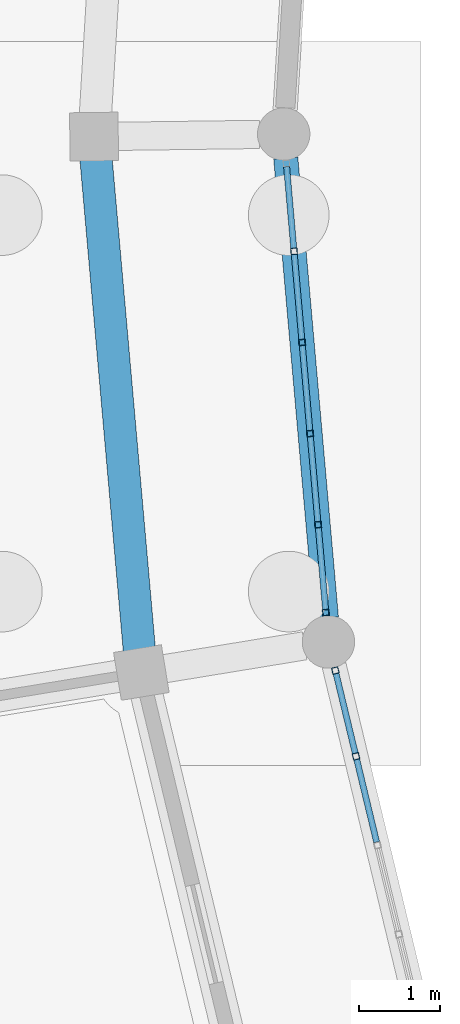
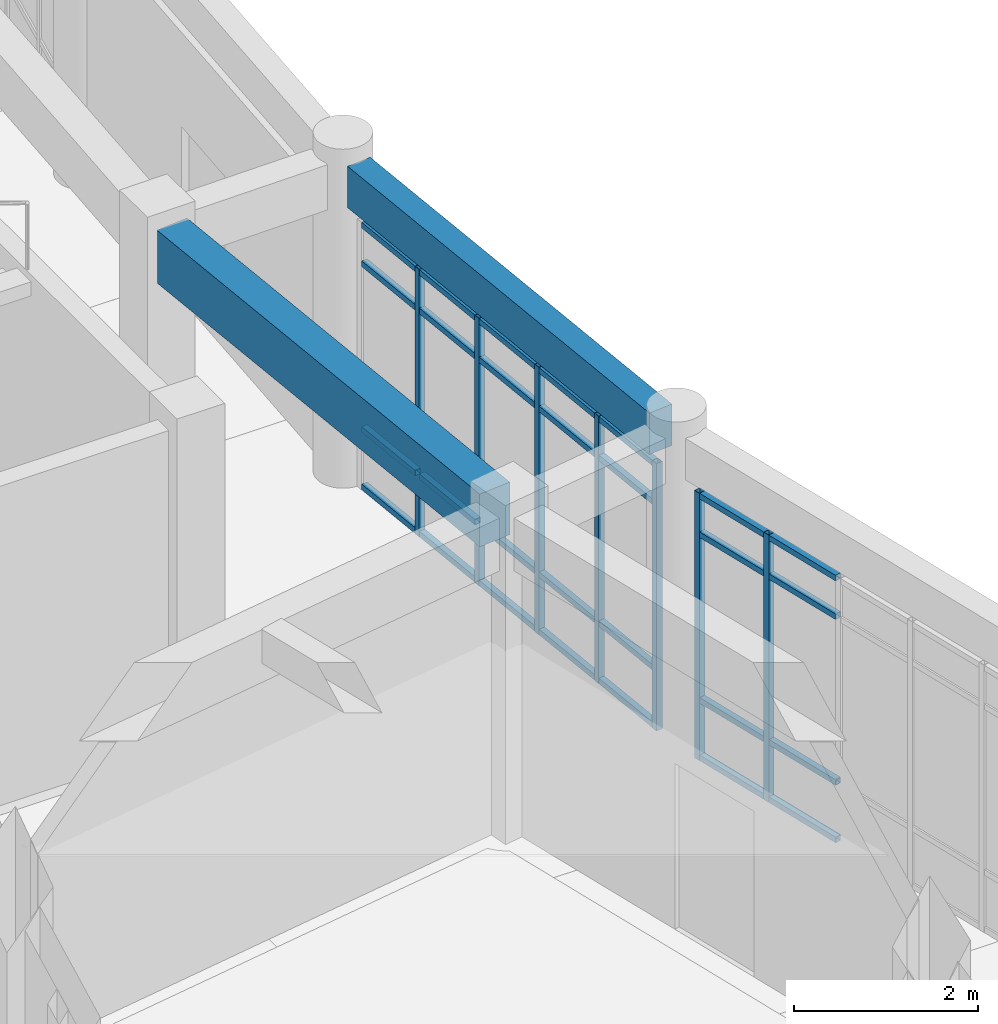
# One storey, part 34 of 153: 35 members, 2 beams, 2 elements without a shape of their own.
"""IFC4 building model written with IfcOpenShell, lengths in metres."""

import ifcopenshell
import ifcopenshell.guid

model = None  # the IFC model being written
_history = None  # IfcOwnerHistory: only IFC2X3 demands one
_inside = {}  # id of a spatial element -> (the spatial element, [elements in it])
_under = {}  # id of a project, library or spatial element -> (it, [spatial elements below it])
_declared = {}  # id of a project -> (the project, [libraries it declares])
_typed = {}  # id of a type object -> (the type object, [elements of that type])
_made_of = {}  # id of a material, layer set ... -> (it, [elements and type objects made of it])


def new_model(schema):
    """Start an empty IFC model of exactly this schema.

    Asked for "IFC4X3", IfcOpenShell would pick the latest addendum, in which some entities
    have other attributes; the version numbers below select the first issue.
    IFC2X3 requires an IfcOwnerHistory on every rooted entity: one is made here for all.
    """
    global model, _history
    if schema == "IFC4X3":
        model = ifcopenshell.file(schema_version=(4, 3, 0, 0))
    else:
        model = ifcopenshell.file(schema=schema)
    _inside.clear()
    _under.clear()
    _declared.clear()
    _typed.clear()
    _made_of.clear()
    _history = None
    if model.schema == "IFC2X3":
        org = make("IfcOrganization", Name="unknown")
        user = make(
            "IfcPersonAndOrganization",
            ThePerson=make("IfcPerson", FamilyName="unknown"),
            TheOrganization=org,
        )
        app = make(
            "IfcApplication",
            ApplicationDeveloper=org,
            Version="unknown",
            ApplicationFullName="unknown",
            ApplicationIdentifier="unknown",
        )
        _history = make(
            "IfcOwnerHistory",
            OwningUser=user,
            OwningApplication=app,
            ChangeAction="ADDED",
            CreationDate=0,
        )
    return model


def make(cls, **values):
    """One entity of the class cls with the attributes given. An attribute that is None is left unset."""
    return model.create_entity(
        cls, **{name: value for name, value in values.items() if value is not None}
    )


def rooted(cls, **values):
    """An entity with a GlobalId (a new one), such as an element, a storey or a relation."""
    return make(cls, GlobalId=ifcopenshell.guid.new(), OwnerHistory=_history, **values)


def si_unit(unit_type, name, prefix=None):
    """IfcSIUnit, for example si_unit("LENGTHUNIT", "METRE", prefix="MILLI")."""
    return make("IfcSIUnit", UnitType=unit_type, Prefix=prefix, Name=name)


def assignment(units):
    """IfcUnitAssignment: the units of a project."""
    return None if units is None else make("IfcUnitAssignment", Units=units)


def point(xyz):
    """IfcCartesianPoint."""
    return None if xyz is None else make("IfcCartesianPoint", Coordinates=xyz)


def direction(xyz):
    """IfcDirection."""
    return None if xyz is None else make("IfcDirection", DirectionRatios=xyz)


def frame(location, z_axis=None, x_axis=None):
    """IfcAxis2Placement3D, a coordinate frame: its origin and axes. An axis left out is left unset."""
    return make(
        "IfcAxis2Placement3D",
        Location=point(location),
        Axis=direction(z_axis),
        RefDirection=direction(x_axis),
    )


def frame_2d(location, x_axis=None):
    """IfcAxis2Placement2D, a coordinate frame in the plane: its origin and x axis."""
    return make(
        "IfcAxis2Placement2D", Location=point(location), RefDirection=direction(x_axis)
    )


def origin():
    """The frame at (0, 0, 0) with its axes left unset."""
    return frame((0.0, 0.0, 0.0))


def origin_2d():
    """The frame at (0, 0) in the plane with its x axis left unset."""
    return frame_2d((0.0, 0.0))


def place(relative_to, where):
    """IfcLocalPlacement: puts the frame where relative to a parent placement (None: the world)."""
    return make(
        "IfcLocalPlacement", PlacementRelTo=relative_to, RelativePlacement=where
    )


def context(
    kind, dimensions, precision=None, world=None, true_north=None, identifier=None
):
    """IfcGeometricRepresentationContext, for example the 3D "Model" context."""
    return make(
        "IfcGeometricRepresentationContext",
        ContextIdentifier=identifier,
        ContextType=kind,
        CoordinateSpaceDimension=dimensions,
        Precision=precision,
        WorldCoordinateSystem=world,
        TrueNorth=true_north,
    )


def subcontext(parent, identifier, kind, view, scale=None):
    """IfcGeometricRepresentationSubContext, for example "Body" below "Model"."""
    return make(
        "IfcGeometricRepresentationSubContext",
        ContextIdentifier=identifier,
        ContextType=kind,
        ParentContext=parent,
        TargetScale=scale,
        TargetView=view,
    )


def project(units=None, contexts=None):
    """IfcProject with its units and contexts."""
    return rooted(
        "IfcProject",
        Name="project",
        RepresentationContexts=contexts,
        UnitsInContext=assignment(units),
    )


def spatial(cls, under=None, at=None, **own):
    """A site, building, storey or space (cls), placed at a placement, below another one or the project."""
    s = rooted(cls, ObjectPlacement=at, **own)
    if under is not None:
        _under.setdefault(under.id(), (under, []))[1].append(s)
    return s


def profile(cls, at=None, kind="AREA", **sizes):
    """A parametric profile (cls). Its sizes go by their IFC names, for example OverallWidth=200.0."""
    return make(cls, ProfileType=kind, Position=at, **sizes)


def rectangle(**sizes):
    """IfcRectangleProfileDef."""
    return profile("IfcRectangleProfileDef", **sizes)


def hollow_rectangle(**sizes):
    """IfcRectangleHollowProfileDef."""
    return profile("IfcRectangleHollowProfileDef", **sizes)


def extrude(swept, where, along, depth):
    """IfcExtrudedAreaSolid: the profile swept, set in the frame where, extruded along a direction by depth."""
    return make(
        "IfcExtrudedAreaSolid",
        SweptArea=swept,
        Position=where,
        ExtrudedDirection=direction(along),
        Depth=depth,
    )


def shape(context_of_items, identifier, shape_type, items):
    """IfcShapeRepresentation: the items that make up one representation, for example the "Body"."""
    return make(
        "IfcShapeRepresentation",
        ContextOfItems=context_of_items,
        RepresentationIdentifier=identifier,
        RepresentationType=shape_type,
        Items=items,
    )


def material(Name=None, Category=None):
    """IfcMaterial."""
    return make("IfcMaterial", Name=Name, Category=Category)


def material_profile(
    of_material, cross_section, Name=None, Category=None, Priority=None
):
    """IfcMaterialProfile: a cross section and its material."""
    return make(
        "IfcMaterialProfile",
        Name=Name,
        Material=of_material,
        Profile=cross_section,
        Priority=Priority,
        Category=Category,
    )


def profile_set(profiles, Name=None, composite=None):
    """IfcMaterialProfileSet."""
    return make(
        "IfcMaterialProfileSet",
        Name=Name,
        MaterialProfiles=profiles,
        CompositeProfile=composite,
    )


def made_of(thing, what):
    """Note that an element or type object is made of a material, layer set ...; save() writes the relation."""
    if what is not None:
        _made_of.setdefault(what.id(), (what, []))[1].append(thing)
    return thing


def type_object(cls, material=None, **own):
    """A type object (cls), such as IfcWallType, which elements share."""
    return made_of(rooted(cls, **own), material)


def element(
    cls,
    number,
    at=None,
    inside=None,
    cuts=None,
    type_object=None,
    material=None,
    context=None,
    identifier="Body",
    shape_type=None,
    held_by="IfcProductDefinitionShape",
    body=None,
    shapes=None,
    **own,
):
    """One element of the class cls, such as IfcWall. Its Tag is "e" and its number.

    at: its placement. inside: the storey or other place that contains it. cuts: it is an
    opening in that element (IfcRelVoidsElement). A single representation is given by context,
    identifier, shape_type and body (its items); several are given by shapes. held_by: the class
    of the entity that holds the representations. save() writes the other relations.
    """
    e = rooted(cls, Tag="e%d" % number, ObjectPlacement=at, **own)
    if body is not None:
        shapes = [shape(context, identifier, shape_type, body)]
    if shapes is not None:
        e.Representation = make(held_by, Representations=shapes)
    if inside is not None:
        _inside.setdefault(inside.id(), (inside, []))[1].append(e)
    if cuts is not None:
        rooted(
            "IfcRelVoidsElement", RelatingBuildingElement=cuts, RelatedOpeningElement=e
        )
    if type_object is not None:
        _typed.setdefault(type_object.id(), (type_object, []))[1].append(e)
    return made_of(e, material)


def aggregate(whole, parts):
    """IfcRelAggregates: a whole, such as a stair, and the parts it consists of."""
    return rooted("IfcRelAggregates", RelatingObject=whole, RelatedObjects=parts)


def save(model, path):
    """Write the relations noted so far, then the file.

    IfcRelAggregates (storeys below a building ...), IfcRelContainedInSpatialStructure (elements
    in a storey), IfcRelDefinesByType, IfcRelAssociatesMaterial and IfcRelDeclares: one each for
    every whole, place, type object, material and project.
    """
    for whole, parts in _under.values():
        aggregate(whole, parts)
    for where, things in _inside.values():
        rooted(
            "IfcRelContainedInSpatialStructure",
            RelatedElements=things,
            RelatingStructure=where,
        )
    for kind, things in _typed.values():
        rooted("IfcRelDefinesByType", RelatedObjects=things, RelatingType=kind)
    for what, things in _made_of.values():
        rooted("IfcRelAssociatesMaterial", RelatedObjects=things, RelatingMaterial=what)
    for by, libraries in _declared.values():
        rooted("IfcRelDeclares", RelatingContext=by, RelatedDefinitions=libraries)
    model.write(path)


model = new_model("IFC4")

# Units and contexts
model_context = context("Model", 3, precision=1e-05, world=origin(), true_north=direction((0.0, 1.0)))
body_context = subcontext(model_context, "Body", "Model", "MODEL_VIEW")
ifc_project = project(units=[si_unit("LENGTHUNIT", "METRE"), si_unit("AREAUNIT", "SQUARE_METRE"), si_unit("VOLUMEUNIT", "CUBIC_METRE"), si_unit("PLANEANGLEUNIT", "RADIAN"), si_unit("MASSUNIT", "GRAM", prefix="KILO")], contexts=[model_context])

# Site, building, storey
site_placement = place(None, origin())
site = spatial("IfcSite", under=ifc_project, at=site_placement, CompositionType="ELEMENT")
building_placement = place(site_placement, origin())
building = spatial("IfcBuilding", under=site, at=building_placement, Name="Celadon Cloister-Ring School", CompositionType="ELEMENT")
storey_placement = place(building_placement, origin())
storey = spatial("IfcBuildingStorey", under=building, at=storey_placement, Name="L00", CompositionType="ELEMENT", Elevation=0.0)

# Curtain wall, members
ifc_material_1 = material(Name="Aluminium EN AW-6063 T6", Category="aluminium")
curtain_wall_type = type_object("IfcCurtainWallType", Name="CW-01", PredefinedType="USERDEFINED", material=ifc_material_1)
curtain_wall_1_placement = place(storey_placement, origin())
curtain_wall_1 = element("IfcCurtainWall", 1, at=curtain_wall_1_placement, inside=storey, type_object=curtain_wall_type, Name="Curtain Wall 0004", ObjectType="CURTAIN WALL", PredefinedType="USERDEFINED")
ifc_material_2 = material(Name="Aluminium EN AW-6063 T6", Category="aluminium")
ifc_material_profile_1 = material_profile(ifc_material_2, hollow_rectangle(XDim=0.080078125, YDim=0.080078125, WallThickness=0.00390625, at=origin_2d()), Name="RHS80X80X4")
ifc_profile_set_1 = profile_set([ifc_material_profile_1], Name="Aluminium EN AW-6063 T6")
member_type_1 = type_object("IfcMemberType", Name="CM-03", PredefinedType="MULLION", material=ifc_profile_set_1)
member_1_placement = place(storey_placement, frame((44.482421875, 56.956787109375, 0.0), z_axis=(0.0, 0.0, 1.0), x_axis=(0.996148002222, 0.087687842199, 0.0)))
member_1 = element("IfcMember", 2, at=member_1_placement, type_object=member_type_1, Name="CW-01 mullion 2", PredefinedType="MULLION", context=body_context, shape_type="SweptSolid", body=[
    extrude(hollow_rectangle(XDim=0.080078125, YDim=0.080078125, WallThickness=0.00390625, at=origin_2d()), origin(), (0.0, 0.0, 1.0), 3.550048828125),
])
member_2_placement = place(storey_placement, frame((44.581787109375, 55.82763671875, 0.0), z_axis=(0.0, 0.0, 1.0), x_axis=(0.996148002222, 0.087687842199, 0.0)))
member_2 = element("IfcMember", 3, at=member_2_placement, type_object=member_type_1, Name="CW-01 mullion 3", PredefinedType="MULLION", context=body_context, shape_type="SweptSolid", body=[
    extrude(hollow_rectangle(XDim=0.080078125, YDim=0.080078125, WallThickness=0.00390625, at=origin_2d()), origin(), (0.0, 0.0, 1.0), 3.550048828125),
])
member_3_placement = place(storey_placement, frame((44.68115234375, 54.698486328125, 0.0), z_axis=(0.0, 0.0, 1.0), x_axis=(0.996148002222, 0.087687842199, 0.0)))
member_3 = element("IfcMember", 4, at=member_3_placement, type_object=member_type_1, Name="CW-01 mullion 4", PredefinedType="MULLION", context=body_context, shape_type="SweptSolid", body=[
    extrude(hollow_rectangle(XDim=0.080078125, YDim=0.080078125, WallThickness=0.00390625, at=origin_2d()), origin(), (0.0, 0.0, 1.0), 3.550048828125),
])
member_4_placement = place(storey_placement, frame((44.780517578125, 53.569091796875, 0.0), z_axis=(0.0, 0.0, 1.0), x_axis=(0.996148002222, 0.087687842199, 0.0)))
member_4 = element("IfcMember", 5, at=member_4_placement, type_object=member_type_1, Name="CW-01 mullion 5", PredefinedType="MULLION", context=body_context, shape_type="SweptSolid", body=[
    extrude(hollow_rectangle(XDim=0.080078125, YDim=0.080078125, WallThickness=0.00390625, at=origin_2d()), origin(), (0.0, 0.0, 1.0), 3.550048828125),
])
member_5_placement = place(storey_placement, frame((44.87646484375, 52.479736328125, 0.0), z_axis=(0.0, 0.0, 1.0), x_axis=(0.996148002222, 0.087687842199, 0.0)))
member_5 = element("IfcMember", 6, at=member_5_placement, type_object=member_type_1, Name="CW-01 mullion 6", PredefinedType="MULLION", context=body_context, shape_type="SweptSolid", body=[
    extrude(hollow_rectangle(XDim=0.080078125, YDim=0.080078125, WallThickness=0.00390625, at=origin_2d()), origin(), (0.0, 0.0, 1.0), 3.550048828125),
])

curtain_wall_2_placement = place(storey_placement, origin())
curtain_wall_2 = element("IfcCurtainWall", 7, at=curtain_wall_2_placement, inside=storey, type_object=curtain_wall_type, Name="Curtain Wall 0005", ObjectType="CURTAIN WALL", PredefinedType="USERDEFINED")
member_6_placement = place(storey_placement, frame((44.994384765625, 51.76123046875, 0.0), z_axis=(0.0, 0.0, 1.0), x_axis=(0.972212485146, 0.234100157469, 0.0)))
member_6 = element("IfcMember", 8, at=member_6_placement, type_object=member_type_1, Name="CW-01 mullion 1", PredefinedType="MULLION", context=body_context, shape_type="SweptSolid", body=[
    extrude(hollow_rectangle(XDim=0.080078125, YDim=0.080078125, WallThickness=0.00390625, at=origin_2d()), origin(), (0.0, 0.0, 1.0), 3.550048828125),
])
member_7_placement = place(storey_placement, frame((45.25048828125, 50.69775390625, 0.0), z_axis=(0.0, 0.0, 1.0), x_axis=(0.972212485146, 0.234100157469, 0.0)))
member_7 = element("IfcMember", 9, at=member_7_placement, type_object=member_type_1, Name="CW-01 mullion 2", PredefinedType="MULLION", context=body_context, shape_type="SweptSolid", body=[
    extrude(hollow_rectangle(XDim=0.080078125, YDim=0.080078125, WallThickness=0.00390625, at=origin_2d()), origin(), (0.0, 0.0, 1.0), 3.550048828125),
])

# Member
ifc_material_3 = material(Name="Aluminium EN AW-6063 T6", Category="aluminium")
ifc_material_profile_2 = material_profile(ifc_material_3, hollow_rectangle(XDim=0.074951171875, YDim=0.074951171875, WallThickness=0.00390625, at=origin_2d()), Name="RHS75X75X4")
ifc_profile_set_2 = profile_set([ifc_material_profile_2], Name="Aluminium EN AW-6063 T6")
member_type_2 = type_object("IfcMemberType", Name="CTM-03", PredefinedType="USERDEFINED", material=ifc_profile_set_2)
member_8_placement = place(storey_placement, frame((44.39013671875, 58.00634765625, 0.03759765625), z_axis=(0.087668878236, -0.996149671379, 0.0), x_axis=(0.996149671379, 0.087668878236, 0.0)))
member_8 = element("IfcMember", 10, at=member_8_placement, type_object=member_type_2, Name="CW-01 transom 1.1", ObjectType="TRANSOM", PredefinedType="USERDEFINED", context=body_context, shape_type="SweptSolid", body=[
    extrude(hollow_rectangle(XDim=0.074951171875, YDim=0.074951171875, WallThickness=0.00390625, at=origin_2d()), origin(), (0.0, 0.0, 1.0), 1.013671875),
])

member_9_placement = place(storey_placement, frame((44.39013671875, 58.00634765625, 0.800048828125), z_axis=(0.087668878236, -0.996149671379, 0.0), x_axis=(0.996149671379, 0.087668878236, 0.0)))
member_9 = element("IfcMember", 11, at=member_9_placement, type_object=member_type_2, Name="CW-01 transom 1.2", ObjectType="TRANSOM", PredefinedType="USERDEFINED", context=body_context, shape_type="SweptSolid", body=[
    extrude(hollow_rectangle(XDim=0.074951171875, YDim=0.074951171875, WallThickness=0.00390625, at=origin_2d()), origin(), (0.0, 0.0, 1.0), 1.013671875),
])

member_10_placement = place(storey_placement, frame((44.39013671875, 58.00634765625, 3.0), z_axis=(0.087668878236, -0.996149671379, 0.0), x_axis=(0.996149671379, 0.087668878236, 0.0)))
member_10 = element("IfcMember", 12, at=member_10_placement, type_object=member_type_2, Name="CW-01 transom 1.3", ObjectType="TRANSOM", PredefinedType="USERDEFINED", context=body_context, shape_type="SweptSolid", body=[
    extrude(hollow_rectangle(XDim=0.074951171875, YDim=0.074951171875, WallThickness=0.00390625, at=origin_2d()), origin(), (0.0, 0.0, 1.0), 1.013671875),
])

member_11_placement = place(storey_placement, frame((44.39013671875, 58.00634765625, 3.512451171875), z_axis=(0.087668878236, -0.996149671379, 0.0), x_axis=(0.996149671379, 0.087668878236, 0.0)))
member_11 = element("IfcMember", 13, at=member_11_placement, type_object=member_type_2, Name="CW-01 transom 1.4", ObjectType="TRANSOM", PredefinedType="USERDEFINED", context=body_context, shape_type="SweptSolid", body=[
    extrude(hollow_rectangle(XDim=0.074951171875, YDim=0.074951171875, WallThickness=0.00390625, at=origin_2d()), origin(), (0.0, 0.0, 1.0), 1.013671875),
])

member_12_placement = place(storey_placement, frame((44.48583984375, 56.9169921875, 0.03759765625), z_axis=(0.087819423051, -0.996136410807, 0.0), x_axis=(0.996136410807, 0.087819423051, 0.0)))
member_12 = element("IfcMember", 14, at=member_12_placement, type_object=member_type_2, Name="CW-01 transom 2.1", ObjectType="TRANSOM", PredefinedType="USERDEFINED", context=body_context, shape_type="SweptSolid", body=[
    extrude(hollow_rectangle(XDim=0.074951171875, YDim=0.074951171875, WallThickness=0.00390625, at=origin_2d()), origin(), (0.0, 0.0, 1.0), 1.0537109375),
])

member_13_placement = place(storey_placement, frame((44.48583984375, 56.9169921875, 0.800048828125), z_axis=(0.087819423051, -0.996136410807, 0.0), x_axis=(0.996136410807, 0.087819423051, 0.0)))
member_13 = element("IfcMember", 15, at=member_13_placement, type_object=member_type_2, Name="CW-01 transom 2.2", ObjectType="TRANSOM", PredefinedType="USERDEFINED", context=body_context, shape_type="SweptSolid", body=[
    extrude(hollow_rectangle(XDim=0.074951171875, YDim=0.074951171875, WallThickness=0.00390625, at=origin_2d()), origin(), (0.0, 0.0, 1.0), 1.0537109375),
])

member_14_placement = place(storey_placement, frame((44.48583984375, 56.9169921875, 3.0), z_axis=(0.087819423051, -0.996136410807, 0.0), x_axis=(0.996136410807, 0.087819423051, 0.0)))
member_14 = element("IfcMember", 16, at=member_14_placement, type_object=member_type_2, Name="CW-01 transom 2.3", ObjectType="TRANSOM", PredefinedType="USERDEFINED", context=body_context, shape_type="SweptSolid", body=[
    extrude(hollow_rectangle(XDim=0.074951171875, YDim=0.074951171875, WallThickness=0.00390625, at=origin_2d()), origin(), (0.0, 0.0, 1.0), 1.0537109375),
])

member_15_placement = place(storey_placement, frame((44.48583984375, 56.9169921875, 3.512451171875), z_axis=(0.087819423051, -0.996136410807, 0.0), x_axis=(0.996136410807, 0.087819423051, 0.0)))
member_15 = element("IfcMember", 17, at=member_15_placement, type_object=member_type_2, Name="CW-01 transom 2.4", ObjectType="TRANSOM", PredefinedType="USERDEFINED", context=body_context, shape_type="SweptSolid", body=[
    extrude(hollow_rectangle(XDim=0.074951171875, YDim=0.074951171875, WallThickness=0.00390625, at=origin_2d()), origin(), (0.0, 0.0, 1.0), 1.0537109375),
])

member_16_placement = place(storey_placement, frame((44.585205078125, 55.787841796875, 0.03759765625), z_axis=(0.087819423051, -0.996136410807, 0.0), x_axis=(0.996136410807, 0.087819423051, 0.0)))
member_16 = element("IfcMember", 18, at=member_16_placement, type_object=member_type_2, Name="CW-01 transom 3.1", ObjectType="TRANSOM", PredefinedType="USERDEFINED", context=body_context, shape_type="SweptSolid", body=[
    extrude(hollow_rectangle(XDim=0.074951171875, YDim=0.074951171875, WallThickness=0.00390625, at=origin_2d()), origin(), (0.0, 0.0, 1.0), 1.0537109375),
])

member_17_placement = place(storey_placement, frame((44.585205078125, 55.787841796875, 0.800048828125), z_axis=(0.087819423051, -0.996136410807, 0.0), x_axis=(0.996136410807, 0.087819423051, 0.0)))
member_17 = element("IfcMember", 19, at=member_17_placement, type_object=member_type_2, Name="CW-01 transom 3.2", ObjectType="TRANSOM", PredefinedType="USERDEFINED", context=body_context, shape_type="SweptSolid", body=[
    extrude(hollow_rectangle(XDim=0.074951171875, YDim=0.074951171875, WallThickness=0.00390625, at=origin_2d()), origin(), (0.0, 0.0, 1.0), 1.0537109375),
])

member_18_placement = place(storey_placement, frame((44.585205078125, 55.787841796875, 3.0), z_axis=(0.087819423051, -0.996136410807, 0.0), x_axis=(0.996136410807, 0.087819423051, 0.0)))
member_18 = element("IfcMember", 20, at=member_18_placement, type_object=member_type_2, Name="CW-01 transom 3.3", ObjectType="TRANSOM", PredefinedType="USERDEFINED", context=body_context, shape_type="SweptSolid", body=[
    extrude(hollow_rectangle(XDim=0.074951171875, YDim=0.074951171875, WallThickness=0.00390625, at=origin_2d()), origin(), (0.0, 0.0, 1.0), 1.0537109375),
])

member_19_placement = place(storey_placement, frame((44.585205078125, 55.787841796875, 3.512451171875), z_axis=(0.087819423051, -0.996136410807, 0.0), x_axis=(0.996136410807, 0.087819423051, 0.0)))
member_19 = element("IfcMember", 21, at=member_19_placement, type_object=member_type_2, Name="CW-01 transom 3.4", ObjectType="TRANSOM", PredefinedType="USERDEFINED", context=body_context, shape_type="SweptSolid", body=[
    extrude(hollow_rectangle(XDim=0.074951171875, YDim=0.074951171875, WallThickness=0.00390625, at=origin_2d()), origin(), (0.0, 0.0, 1.0), 1.0537109375),
])

member_20_placement = place(storey_placement, frame((44.684814453125, 54.658447265625, 0.03759765625), z_axis=(0.08760971228, -0.99615487667, 0.0), x_axis=(0.99615487667, 0.08760971228, 0.0)))
member_20 = element("IfcMember", 22, at=member_20_placement, type_object=member_type_2, Name="CW-01 transom 4.1", ObjectType="TRANSOM", PredefinedType="USERDEFINED", context=body_context, shape_type="SweptSolid", body=[
    extrude(hollow_rectangle(XDim=0.074951171875, YDim=0.074951171875, WallThickness=0.00390625, at=origin_2d()), origin(), (0.0, 0.0, 1.0), 1.053466796875),
])

member_21_placement = place(storey_placement, frame((44.684814453125, 54.658447265625, 0.800048828125), z_axis=(0.08760971228, -0.99615487667, 0.0), x_axis=(0.99615487667, 0.08760971228, 0.0)))
member_21 = element("IfcMember", 23, at=member_21_placement, type_object=member_type_2, Name="CW-01 transom 4.2", ObjectType="TRANSOM", PredefinedType="USERDEFINED", context=body_context, shape_type="SweptSolid", body=[
    extrude(hollow_rectangle(XDim=0.074951171875, YDim=0.074951171875, WallThickness=0.00390625, at=origin_2d()), origin(), (0.0, 0.0, 1.0), 1.053466796875),
])

member_22_placement = place(storey_placement, frame((44.684814453125, 54.658447265625, 3.0), z_axis=(0.08760971228, -0.99615487667, 0.0), x_axis=(0.99615487667, 0.08760971228, 0.0)))
member_22 = element("IfcMember", 24, at=member_22_placement, type_object=member_type_2, Name="CW-01 transom 4.3", ObjectType="TRANSOM", PredefinedType="USERDEFINED", context=body_context, shape_type="SweptSolid", body=[
    extrude(hollow_rectangle(XDim=0.074951171875, YDim=0.074951171875, WallThickness=0.00390625, at=origin_2d()), origin(), (0.0, 0.0, 1.0), 1.053466796875),
])

member_23_placement = place(storey_placement, frame((44.684814453125, 54.658447265625, 3.512451171875), z_axis=(0.08760971228, -0.99615487667, 0.0), x_axis=(0.99615487667, 0.08760971228, 0.0)))
member_23 = element("IfcMember", 25, at=member_23_placement, type_object=member_type_2, Name="CW-01 transom 4.4", ObjectType="TRANSOM", PredefinedType="USERDEFINED", context=body_context, shape_type="SweptSolid", body=[
    extrude(hollow_rectangle(XDim=0.074951171875, YDim=0.074951171875, WallThickness=0.00390625, at=origin_2d()), origin(), (0.0, 0.0, 1.0), 1.053466796875),
])

member_24_placement = place(storey_placement, frame((44.7841796875, 53.529296875, 0.03759765625), z_axis=(0.087689916888, -0.996147819591, 0.0), x_axis=(0.996147819591, 0.087689916888, 0.0)))
member_24 = element("IfcMember", 26, at=member_24_placement, type_object=member_type_2, Name="CW-01 transom 5.1", ObjectType="TRANSOM", PredefinedType="USERDEFINED", context=body_context, shape_type="SweptSolid", body=[
    extrude(hollow_rectangle(XDim=0.074951171875, YDim=0.074951171875, WallThickness=0.00390625, at=origin_2d()), origin(), (0.0, 0.0, 1.0), 1.013427734375),
])

member_25_placement = place(storey_placement, frame((44.7841796875, 53.529296875, 0.800048828125), z_axis=(0.087689916888, -0.996147819591, 0.0), x_axis=(0.996147819591, 0.087689916888, 0.0)))
member_25 = element("IfcMember", 27, at=member_25_placement, type_object=member_type_2, Name="CW-01 transom 5.2", ObjectType="TRANSOM", PredefinedType="USERDEFINED", context=body_context, shape_type="SweptSolid", body=[
    extrude(hollow_rectangle(XDim=0.074951171875, YDim=0.074951171875, WallThickness=0.00390625, at=origin_2d()), origin(), (0.0, 0.0, 1.0), 1.013427734375),
])

member_26_placement = place(storey_placement, frame((44.7841796875, 53.529296875, 3.0), z_axis=(0.087689916888, -0.996147819591, 0.0), x_axis=(0.996147819591, 0.087689916888, 0.0)))
member_26 = element("IfcMember", 28, at=member_26_placement, type_object=member_type_2, Name="CW-01 transom 5.3", ObjectType="TRANSOM", PredefinedType="USERDEFINED", context=body_context, shape_type="SweptSolid", body=[
    extrude(hollow_rectangle(XDim=0.074951171875, YDim=0.074951171875, WallThickness=0.00390625, at=origin_2d()), origin(), (0.0, 0.0, 1.0), 1.013427734375),
])

member_27_placement = place(storey_placement, frame((44.7841796875, 53.529296875, 3.512451171875), z_axis=(0.087689916888, -0.996147819591, 0.0), x_axis=(0.996147819591, 0.087689916888, 0.0)))
member_27 = element("IfcMember", 29, at=member_27_placement, type_object=member_type_2, Name="CW-01 transom 5.4", ObjectType="TRANSOM", PredefinedType="USERDEFINED", context=body_context, shape_type="SweptSolid", body=[
    extrude(hollow_rectangle(XDim=0.074951171875, YDim=0.074951171875, WallThickness=0.00390625, at=origin_2d()), origin(), (0.0, 0.0, 1.0), 1.013427734375),
])

aggregate(curtain_wall_1, [member_1, member_2, member_3, member_4, member_5, member_8, member_9, member_10, member_11, member_12, member_13, member_14, member_15, member_16, member_17, member_18, member_19, member_20, member_21, member_22, member_23, member_24, member_25, member_26, member_27])

member_28_placement = place(storey_placement, frame((45.003662109375, 51.72216796875, 0.03759765625), z_axis=(0.234083346543, -0.972216532914, 0.0), x_axis=(0.972216532914, 0.234083346543, 0.0)))
member_28 = element("IfcMember", 30, at=member_28_placement, type_object=member_type_2, Name="CW-01 transom 1.1", ObjectType="TRANSOM", PredefinedType="USERDEFINED", context=body_context, shape_type="SweptSolid", body=[
    extrude(hollow_rectangle(XDim=0.074951171875, YDim=0.074951171875, WallThickness=0.00390625, at=origin_2d()), origin(), (0.0, 0.0, 1.0), 1.013671875),
])

member_29_placement = place(storey_placement, frame((45.003662109375, 51.72216796875, 0.800048828125), z_axis=(0.234083346543, -0.972216532914, 0.0), x_axis=(0.972216532914, 0.234083346543, 0.0)))
member_29 = element("IfcMember", 31, at=member_29_placement, type_object=member_type_2, Name="CW-01 transom 1.2", ObjectType="TRANSOM", PredefinedType="USERDEFINED", context=body_context, shape_type="SweptSolid", body=[
    extrude(hollow_rectangle(XDim=0.074951171875, YDim=0.074951171875, WallThickness=0.00390625, at=origin_2d()), origin(), (0.0, 0.0, 1.0), 1.013671875),
])

member_30_placement = place(storey_placement, frame((45.003662109375, 51.72216796875, 3.0), z_axis=(0.234083346543, -0.972216532914, 0.0), x_axis=(0.972216532914, 0.234083346543, 0.0)))
member_30 = element("IfcMember", 32, at=member_30_placement, type_object=member_type_2, Name="CW-01 transom 1.3", ObjectType="TRANSOM", PredefinedType="USERDEFINED", context=body_context, shape_type="SweptSolid", body=[
    extrude(hollow_rectangle(XDim=0.074951171875, YDim=0.074951171875, WallThickness=0.00390625, at=origin_2d()), origin(), (0.0, 0.0, 1.0), 1.013671875),
])

member_31_placement = place(storey_placement, frame((45.003662109375, 51.72216796875, 3.512451171875), z_axis=(0.234083346543, -0.972216532914, 0.0), x_axis=(0.972216532914, 0.234083346543, 0.0)))
member_31 = element("IfcMember", 33, at=member_31_placement, type_object=member_type_2, Name="CW-01 transom 1.4", ObjectType="TRANSOM", PredefinedType="USERDEFINED", context=body_context, shape_type="SweptSolid", body=[
    extrude(hollow_rectangle(XDim=0.074951171875, YDim=0.074951171875, WallThickness=0.00390625, at=origin_2d()), origin(), (0.0, 0.0, 1.0), 1.013671875),
])

member_32_placement = place(storey_placement, frame((45.259765625, 50.658935546875, 0.03759765625), z_axis=(0.234021392325, -0.972231447719, 0.0), x_axis=(0.972231447719, 0.234021392325, 0.0)))
member_32 = element("IfcMember", 34, at=member_32_placement, type_object=member_type_2, Name="CW-01 transom 2.1", ObjectType="TRANSOM", PredefinedType="USERDEFINED", context=body_context, shape_type="SweptSolid", body=[
    extrude(hollow_rectangle(XDim=0.074951171875, YDim=0.074951171875, WallThickness=0.00390625, at=origin_2d()), origin(), (0.0, 0.0, 1.0), 1.0537109375),
])

member_33_placement = place(storey_placement, frame((45.259765625, 50.658935546875, 0.800048828125), z_axis=(0.234021392325, -0.972231447719, 0.0), x_axis=(0.972231447719, 0.234021392325, 0.0)))
member_33 = element("IfcMember", 35, at=member_33_placement, type_object=member_type_2, Name="CW-01 transom 2.2", ObjectType="TRANSOM", PredefinedType="USERDEFINED", context=body_context, shape_type="SweptSolid", body=[
    extrude(hollow_rectangle(XDim=0.074951171875, YDim=0.074951171875, WallThickness=0.00390625, at=origin_2d()), origin(), (0.0, 0.0, 1.0), 1.0537109375),
])

member_34_placement = place(storey_placement, frame((45.259765625, 50.658935546875, 3.0), z_axis=(0.234021392325, -0.972231447719, 0.0), x_axis=(0.972231447719, 0.234021392325, 0.0)))
member_34 = element("IfcMember", 36, at=member_34_placement, type_object=member_type_2, Name="CW-01 transom 2.3", ObjectType="TRANSOM", PredefinedType="USERDEFINED", context=body_context, shape_type="SweptSolid", body=[
    extrude(hollow_rectangle(XDim=0.074951171875, YDim=0.074951171875, WallThickness=0.00390625, at=origin_2d()), origin(), (0.0, 0.0, 1.0), 1.0537109375),
])

member_35_placement = place(storey_placement, frame((45.259765625, 50.658935546875, 3.512451171875), z_axis=(0.234021392325, -0.972231447719, 0.0), x_axis=(0.972231447719, 0.234021392325, 0.0)))
member_35 = element("IfcMember", 37, at=member_35_placement, type_object=member_type_2, Name="CW-01 transom 2.4", ObjectType="TRANSOM", PredefinedType="USERDEFINED", context=body_context, shape_type="SweptSolid", body=[
    extrude(hollow_rectangle(XDim=0.074951171875, YDim=0.074951171875, WallThickness=0.00390625, at=origin_2d()), origin(), (0.0, 0.0, 1.0), 1.0537109375),
])

aggregate(curtain_wall_2, [member_6, member_7, member_28, member_29, member_30, member_31, member_32, member_33, member_34, member_35])

# Beams
ifc_material_4 = material(Name="Concrete C35/45", Category="concrete")
ifc_material_profile_3 = material_profile(ifc_material_4, rectangle(XDim=0.39990234375, YDim=0.699951171875, at=origin_2d()), Name="RC400X700")
ifc_profile_set_3 = profile_set([ifc_material_profile_3], Name="Concrete C35/45")
beam_type_1 = type_object("IfcBeamType", Name="GT-03", PredefinedType="USERDEFINED", material=ifc_profile_set_3)
beam_1_placement = place(storey_placement, frame((42.028076171875, 58.10400390625, 3.929931640625), z_axis=(0.087929921019, -0.996126663126, 0.0), x_axis=(0.996126663126, 0.087929921019, 0.0)))
element("IfcBeam", 38, at=beam_1_placement, inside=storey, type_object=beam_type_1, Name="Beam 0097", ObjectType="GIRDER", PredefinedType="USERDEFINED", context=body_context, shape_type="SweptSolid", body=[
    extrude(rectangle(XDim=0.39990234375, YDim=0.699951171875, at=origin_2d()), origin(), (0.0, 0.0, 1.0), 6.11669921875),
])
ifc_material_5 = material(Name="Concrete C35/45", Category="concrete")
ifc_material_profile_4 = material_profile(ifc_material_5, rectangle(XDim=0.300048828125, YDim=0.550048828125, at=origin_2d()), Name="RC300X550")
ifc_profile_set_4 = profile_set([ifc_material_profile_4], Name="Concrete C35/45")
beam_type_2 = type_object("IfcBeamType", Name="SP-02", PredefinedType="SPANDREL", material=ifc_profile_set_4)
beam_2_placement = place(storey_placement, frame((44.3798828125, 58.111083984375, 4.0048828125), z_axis=(0.087994739021, -0.996120939397, 0.0), x_axis=(0.996120939397, 0.087994739021, 0.0)))
element("IfcBeam", 39, at=beam_2_placement, inside=storey, type_object=beam_type_2, Name="Beam 0098", PredefinedType="SPANDREL", context=body_context, shape_type="SweptSolid", body=[
    extrude(rectangle(XDim=0.300048828125, YDim=0.550048828125, at=origin_2d()), origin(), (0.0, 0.0, 1.0), 5.71826171875),
])

save(model, "model.ifc")
